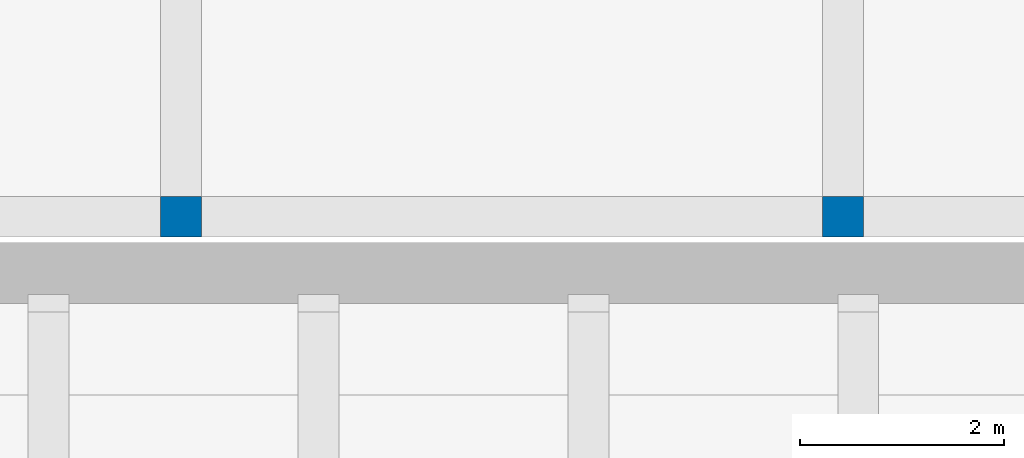
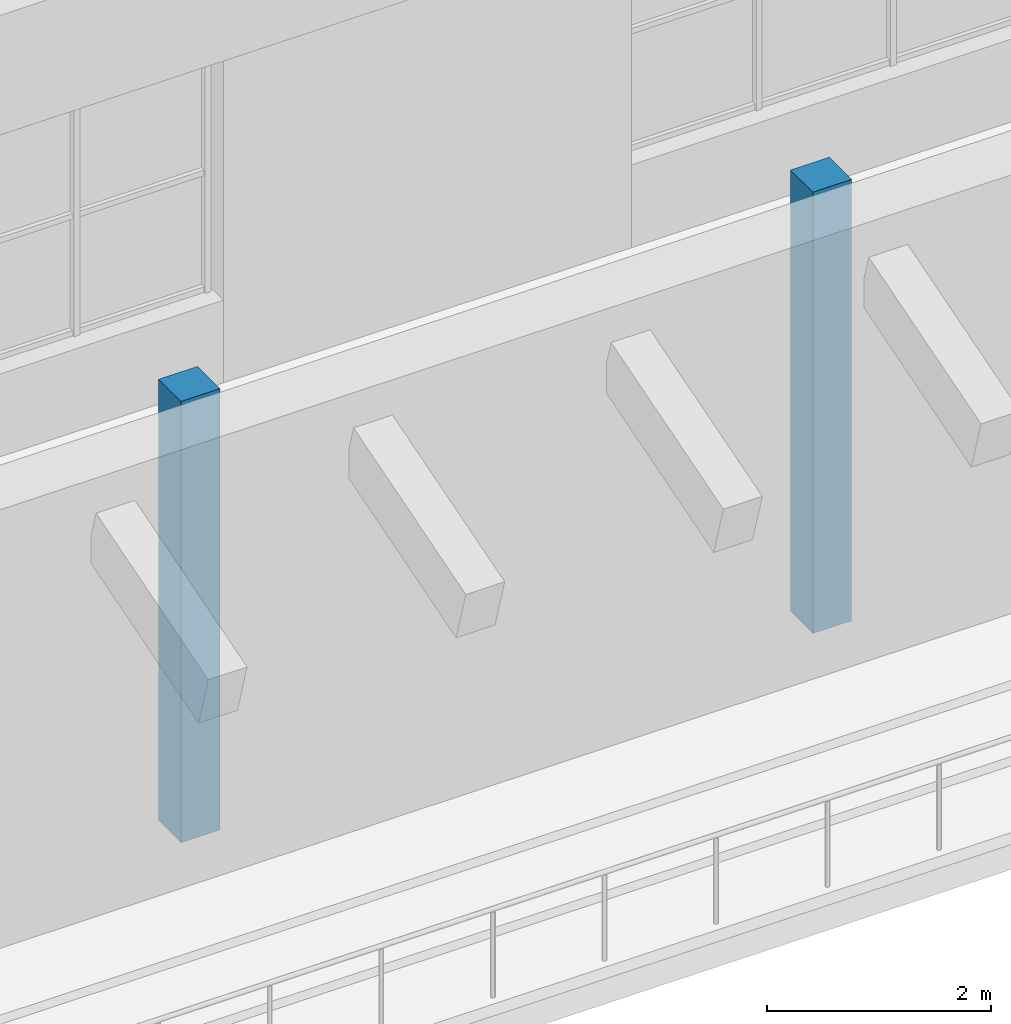
# One storey, part 8 of 127: 2 columns.
"""IFC4 building model written with IfcOpenShell, lengths in metres."""

from ifc_helpers import new_model, si_unit, direction, frame, origin, origin_2d, place, context, subcontext, project, spatial, rectangle, extrude, material, material_profile, profile_set, type_object, element, save


model = new_model("IFC4")

# Units and contexts
model_context = context("Model", 3, precision=1e-05, world=origin(), true_north=direction((0.0, 1.0)))
body_context = subcontext(model_context, "Body", "Model", "MODEL_VIEW")
ifc_project = project(units=[si_unit("LENGTHUNIT", "METRE"), si_unit("AREAUNIT", "SQUARE_METRE"), si_unit("VOLUMEUNIT", "CUBIC_METRE"), si_unit("PLANEANGLEUNIT", "RADIAN"), si_unit("MASSUNIT", "GRAM", prefix="KILO")], contexts=[model_context])

# Site, building, storey
site_placement = place(None, origin())
site = spatial("IfcSite", under=ifc_project, at=site_placement, CompositionType="ELEMENT")
building_placement = place(site_placement, origin())
building = spatial("IfcBuilding", under=site, at=building_placement, Name="Ljudholm Concert House", CompositionType="ELEMENT")
storey_placement = place(building_placement, frame((0.0, 0.0, 5.39990234375)))
storey = spatial("IfcBuildingStorey", under=building, at=storey_placement, Name="L01", CompositionType="ELEMENT", Elevation=5.39990234375)

# Columns
ifc_material = material(Name="Concrete 6,500 psi", Category="concrete")
ifc_material_profile = material_profile(ifc_material, rectangle(XDim=0.39990234375, YDim=0.39990234375, at=origin_2d()), Name="RC COLUMN 400x400")
ifc_profile_set = profile_set([ifc_material_profile], Name="Concrete 6,500 psi")
column_type = type_object("IfcColumnType", Name="RC COLUMN 400x400", PredefinedType="COLUMN", material=ifc_profile_set)
for number, where, z_axis, x_axis, name in (
    (1, (57.0, 90.35009765625, 0.0), (0.0, 0.0, 1.0), (1.0, 0.0, 0.0), "Ring column"),
    (2, (63.5, 90.35009765625, 0.0), (0.0, 0.0, 1.0), (1.0, 0.0, 0.0), "Ring column"),
):
    element("IfcColumn", number, at=place(storey_placement, frame(where, z_axis=z_axis, x_axis=x_axis)), inside=storey, type_object=column_type, Name=name, PredefinedType="COLUMN", context=body_context, shape_type="SweptSolid", body=[
        extrude(rectangle(XDim=0.39990234375, YDim=0.39990234375, at=origin_2d()), origin(), (0.0, 0.0, 1.0), 4.800048828125),
    ])

save(model, "model.ifc")
